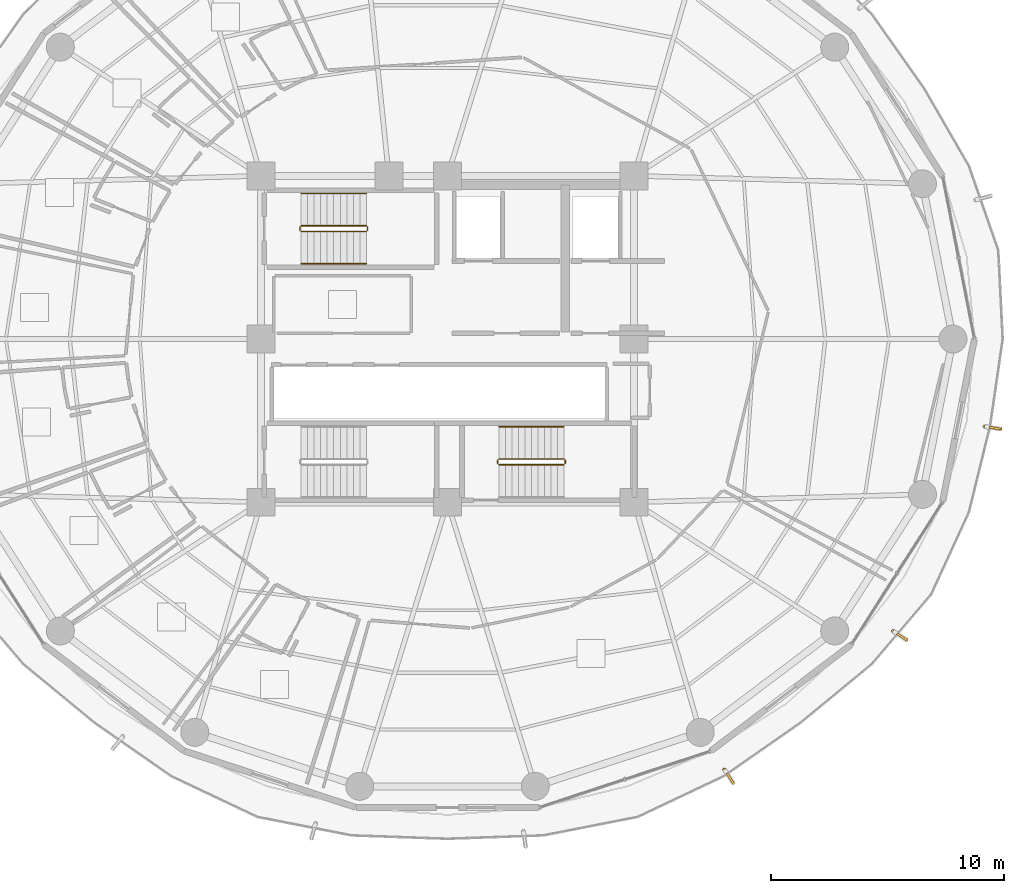
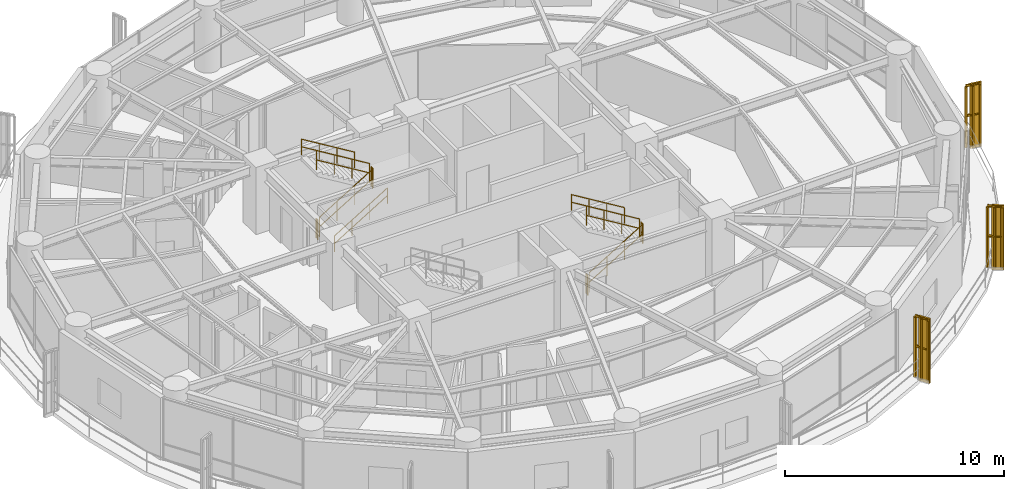
# One storey, part 26 of 27: 14 railings, 3 shading devices.
"""IFC4 building model written with IfcOpenShell, lengths in metres."""

from ifc_helpers import new_model, si_unit, direction, frame, origin, origin_2d, place, context, subcontext, project, spatial, polyline, rectangle, outline, extrude, source, transform, mapped, material, type_object, element, save


model = new_model("IFC4")

# Units and contexts
model_context = context("Model", 3, precision=1e-05, world=origin(), true_north=direction((0.0, 1.0)))
body_context = subcontext(model_context, "Body", "Model", "MODEL_VIEW")
ifc_project = project(units=[si_unit("LENGTHUNIT", "METRE"), si_unit("AREAUNIT", "SQUARE_METRE"), si_unit("VOLUMEUNIT", "CUBIC_METRE"), si_unit("PLANEANGLEUNIT", "RADIAN"), si_unit("MASSUNIT", "GRAM", prefix="KILO")], contexts=[model_context])

# Site, building, storey
site_placement = place(None, origin())
site = spatial("IfcSite", under=ifc_project, at=site_placement, CompositionType="ELEMENT")
building_placement = place(site_placement, origin())
building = spatial("IfcBuilding", under=site, at=building_placement, Name="Kelanora Arch Commons", CompositionType="ELEMENT")
storey_placement = place(building_placement, frame((0.0, 0.0, 143.10009765625)))
storey = spatial("IfcBuildingStorey", under=building, at=storey_placement, Name="L36", CompositionType="ELEMENT", Elevation=143.10009765625)

# Railings
ifc_material_1 = material(Name="Anodised bronze vertical shading fin rib assembly")
railing_type_1 = type_object("IfcRailingType", Name="RAIL-FIN-BRZ", PredefinedType="BALUSTRADE", material=ifc_material_1)
railing_1_placement = place(storey_placement, frame((85.876953125, 39.541015625, -0.02001953125)))
element("IfcRailing", 1, at=railing_1_placement, inside=storey, type_object=railing_type_1, Name="Sweeping Bronze Vertical Fin Blade L36-12", PredefinedType="BALUSTRADE", context=body_context, shape_type="SweptSolid", body=[
    extrude(outline(polyline([(0.06982421875, 0.0), (0.034912109375, 0.060546875), (-0.034912109375, 0.060546875), (-0.06982421875, 0.0), (-0.034912109375, -0.060546875), (0.034912109375, -0.060546875), (0.06982421875, 0.0)])), frame((0.0, 0.0, 3.419921875), z_axis=(0.541104882756, -0.840955115246, 0.0), x_axis=(0.840955115246, 0.541104882756, 0.0)), (0.0, 0.0, 1.0), 0.675048828125),
    extrude(outline(polyline([(0.06982421875, 0.0), (0.034912109375, 0.060546875), (-0.034912109375, 0.060546875), (-0.06982421875, 0.0), (-0.034912109375, -0.060546875), (0.034912109375, -0.060546875), (0.06982421875, 0.0)])), frame((0.0, 0.0, 1.7451171875), z_axis=(0.541104882756, -0.840955115246, 0.0), x_axis=(0.840955115246, 0.541104882756, 0.0)), (0.0, 0.0, 1.0), 0.675048828125),
    extrude(outline(polyline([(0.080078125, 0.0), (0.0400390625, 0.0693359375), (-0.0400390625, 0.0693359375), (-0.080078125, 0.0), (-0.0400390625, -0.0693359375), (0.0400390625, -0.0693359375), (0.080078125, 0.0)])), origin(), (0.0, 0.0, 1.0), 3.35009765625),
    extrude(outline(polyline([(0.080078125, 0.0), (0.0400390625, 0.0693359375), (-0.0400390625, 0.0693359375), (-0.080078125, 0.0), (-0.0400390625, -0.0693359375), (0.0400390625, -0.0693359375), (0.080078125, 0.0)])), frame((0.1826171875, -0.28369140625, 0.0)), (0.0, 0.0, 1.0), 3.35009765625),
    extrude(outline(polyline([(0.080078125, 0.0), (0.0400390625, 0.0693359375), (-0.0400390625, 0.0693359375), (-0.080078125, 0.0), (-0.0400390625, -0.0693359375), (0.0400390625, -0.0693359375), (0.080078125, 0.0)])), frame((0.365234375, -0.567626953125, 0.0)), (0.0, 0.0, 1.0), 3.35009765625),
])
railing_2_placement = place(storey_placement, frame((93.112548828125, 45.472900390625, -0.02001953125)))
element("IfcRailing", 2, at=railing_2_placement, inside=storey, type_object=railing_type_1, Name="Sweeping Bronze Vertical Fin Blade L36-13", PredefinedType="BALUSTRADE", context=body_context, shape_type="SweptSolid", body=[
    extrude(outline(polyline([(0.06982421875, 0.0), (0.034912109375, 0.060546875), (-0.034912109375, 0.060546875), (-0.06982421875, 0.0), (-0.034912109375, -0.060546875), (0.034912109375, -0.060546875), (0.06982421875, 0.0)])), frame((0.0, 0.0, 3.419921875), z_axis=(0.836529724923, -0.547921544859, 0.0), x_axis=(0.547921544859, 0.836529724923, 0.0)), (0.0, 0.0, 1.0), 0.675048828125),
    extrude(outline(polyline([(0.06982421875, 0.0), (0.034912109375, 0.060546875), (-0.034912109375, 0.060546875), (-0.06982421875, 0.0), (-0.034912109375, -0.060546875), (0.034912109375, -0.060546875), (0.06982421875, 0.0)])), frame((0.0, 0.0, 1.7451171875), z_axis=(0.836529724923, -0.547921544859, 0.0), x_axis=(0.547921544859, 0.836529724923, 0.0)), (0.0, 0.0, 1.0), 0.675048828125),
    extrude(outline(polyline([(0.080078125, 0.0), (0.0400390625, 0.0693359375), (-0.0400390625, 0.0693359375), (-0.080078125, 0.0), (-0.0400390625, -0.0693359375), (0.0400390625, -0.0693359375), (0.080078125, 0.0)])), origin(), (0.0, 0.0, 1.0), 3.35009765625),
    extrude(outline(polyline([(0.080078125, 0.0), (0.0400390625, 0.0693359375), (-0.0400390625, 0.0693359375), (-0.080078125, 0.0), (-0.0400390625, -0.0693359375), (0.0400390625, -0.0693359375), (0.080078125, 0.0)])), frame((0.2822265625, -0.18505859375, 0.0)), (0.0, 0.0, 1.0), 3.35009765625),
    extrude(outline(polyline([(0.080078125, 0.0), (0.0400390625, 0.0693359375), (-0.0400390625, 0.0693359375), (-0.080078125, 0.0), (-0.0400390625, -0.0693359375), (0.0400390625, -0.0693359375), (0.080078125, 0.0)])), frame((0.564697265625, -0.369873046875, 0.0)), (0.0, 0.0, 1.0), 3.35009765625),
])
railing_3_placement = place(storey_placement, frame((97.03955078125, 54.251220703125, -0.02001953125)))
element("IfcRailing", 3, at=railing_3_placement, inside=storey, type_object=railing_type_1, Name="Sweeping Bronze Vertical Fin Blade L36-14", PredefinedType="BALUSTRADE", context=body_context, shape_type="SweptSolid", body=[
    extrude(outline(polyline([(0.06982421875, 0.0), (0.034912109375, 0.060546875), (-0.034912109375, 0.060546875), (-0.06982421875, 0.0), (-0.034912109375, -0.060546875), (0.034912109375, -0.060546875), (0.06982421875, 0.0)])), frame((0.0, 0.0, 3.419921875), z_axis=(0.986964552607, -0.160937788901, 0.0), x_axis=(0.160937788901, 0.986964552607, 0.0)), (0.0, 0.0, 1.0), 0.675048828125),
    extrude(outline(polyline([(0.06982421875, 0.0), (0.034912109375, 0.060546875), (-0.034912109375, 0.060546875), (-0.06982421875, 0.0), (-0.034912109375, -0.060546875), (0.034912109375, -0.060546875), (0.06982421875, 0.0)])), frame((0.0, 0.0, 1.7451171875), z_axis=(0.986964552607, -0.160937788901, 0.0), x_axis=(0.160937788901, 0.986964552607, 0.0)), (0.0, 0.0, 1.0), 0.675048828125),
    extrude(outline(polyline([(0.080078125, 0.0), (0.0400390625, 0.0693359375), (-0.0400390625, 0.0693359375), (-0.080078125, 0.0), (-0.0400390625, -0.0693359375), (0.0400390625, -0.0693359375), (0.080078125, 0.0)])), origin(), (0.0, 0.0, 1.0), 3.35009765625),
    extrude(outline(polyline([(0.080078125, 0.0), (0.0400390625, 0.0693359375), (-0.0400390625, 0.0693359375), (-0.080078125, 0.0), (-0.0400390625, -0.0693359375), (0.0400390625, -0.0693359375), (0.080078125, 0.0)])), frame((0.3330078125, -0.05419921875, 0.0)), (0.0, 0.0, 1.0), 3.35009765625),
    extrude(outline(polyline([(0.080078125, 0.0), (0.0400390625, 0.0693359375), (-0.0400390625, 0.0693359375), (-0.080078125, 0.0), (-0.0400390625, -0.0693359375), (0.0400390625, -0.0693359375), (0.080078125, 0.0)])), frame((0.666259765625, -0.108642578125, 0.0)), (0.0, 0.0, 1.0), 3.35009765625),
])
ifc_material_2 = material(Name="Painted steel stair well guard", Category="steel")
railing_type_2 = type_object("IfcRailingType", Name="RAIL-STAIR-GRD", PredefinedType="GUARDRAIL", material=ifc_material_2)
railing_4_placement = place(storey_placement, frame((67.719970703125, 62.610107421875, 0.17041015625)))
element("IfcRailing", 4, at=railing_4_placement, inside=storey, type_object=railing_type_2, Name="L36 ST-T1 stair guard 1", PredefinedType="GUARDRAIL", context=body_context, shape_type="SweptSolid", body=[
    extrude(outline(polyline([(0.02392578125, 0.0), (0.011962890625, 0.020751953125), (-0.011962890625, 0.020751953125), (-0.02392578125, 0.0), (-0.011962890625, -0.020751953125), (0.011962890625, -0.020751953125), (0.02392578125, 0.0)])), frame((0.0, 0.0, 1.076171875), z_axis=(0.854169791009, 0.0, 0.51999420009), x_axis=(0.0, 1.0, 0.0)), (0.0, 0.0, 1.0), 3.278076171875),
    extrude(outline(polyline([(0.02392578125, 0.0), (0.011962890625, 0.020751953125), (-0.011962890625, 0.020751953125), (-0.02392578125, 0.0), (-0.011962890625, -0.020751953125), (0.011962890625, -0.020751953125), (0.02392578125, 0.0)])), frame((0.0, 0.0, 0.550048828125), z_axis=(0.854169791009, 0.0, 0.51999420009), x_axis=(0.0, 1.0, 0.0)), (0.0, 0.0, 1.0), 3.278076171875),
    extrude(outline(polyline([(0.02099609375, 0.0), (0.010498046875, 0.01806640625), (-0.010498046875, 0.01806640625), (-0.02099609375, 0.0), (-0.010498046875, -0.01806640625), (0.010498046875, -0.01806640625), (0.02099609375, 0.0)])), origin(), (0.0, 0.0, 1.0), 1.052001953125),
    extrude(outline(polyline([(0.02099609375, 0.0), (0.010498046875, 0.01806640625), (-0.010498046875, 0.01806640625), (-0.02099609375, 0.0), (-0.010498046875, -0.01806640625), (0.010498046875, -0.01806640625), (0.02099609375, 0.0)])), frame((0.933349609375, 0.0, 0.568115234375)), (0.0, 0.0, 1.0), 1.052001953125),
    extrude(outline(polyline([(0.02099609375, 0.0), (0.010498046875, 0.01806640625), (-0.010498046875, 0.01806640625), (-0.02099609375, 0.0), (-0.010498046875, -0.01806640625), (0.010498046875, -0.01806640625), (0.02099609375, 0.0)])), frame((1.86669921875, 0.0, 1.136474609375)), (0.0, 0.0, 1.0), 1.052001953125),
    extrude(outline(polyline([(0.02099609375, 0.0), (0.010498046875, 0.01806640625), (-0.010498046875, 0.01806640625), (-0.02099609375, 0.0), (-0.010498046875, -0.01806640625), (0.010498046875, -0.01806640625), (0.02099609375, 0.0)])), frame((2.800048828125, 0.0, 1.70458984375)), (0.0, 0.0, 1.0), 1.052001953125),
])
railing_5_placement = place(storey_placement, frame((70.570068359375, 62.659912109375, 1.875)))
element("IfcRailing", 5, at=railing_5_placement, inside=storey, type_object=railing_type_2, Name="L36 ST-T1 stair guard 2", PredefinedType="GUARDRAIL", context=body_context, shape_type="SweptSolid", body=[
    extrude(outline(polyline([(0.02392578125, 0.0), (0.011962890625, 0.020751953125), (-0.011962890625, 0.020751953125), (-0.02392578125, 0.0), (-0.011962890625, -0.020751953125), (0.011962890625, -0.020751953125), (0.02392578125, 0.0)])), frame((0.0, 0.0, 1.076171875), z_axis=(0.0, 1.0, 0.0), x_axis=(-1.0, 0.0, 0.0)), (0.0, 0.0, 1.0), 0.150146484375),
    extrude(outline(polyline([(0.02392578125, 0.0), (0.011962890625, 0.020751953125), (-0.011962890625, 0.020751953125), (-0.02392578125, 0.0), (-0.011962890625, -0.020751953125), (0.011962890625, -0.020751953125), (0.02392578125, 0.0)])), frame((0.0, 0.0, 0.550048828125), z_axis=(0.0, 1.0, 0.0), x_axis=(-1.0, 0.0, 0.0)), (0.0, 0.0, 1.0), 0.150146484375),
    extrude(outline(polyline([(0.02099609375, 0.0), (0.010498046875, 0.01806640625), (-0.010498046875, 0.01806640625), (-0.02099609375, 0.0), (-0.010498046875, -0.01806640625), (0.010498046875, -0.01806640625), (0.02099609375, 0.0)])), origin(), (0.0, 0.0, 1.0), 1.052001953125),
    extrude(outline(polyline([(0.02099609375, 0.0), (0.010498046875, 0.01806640625), (-0.010498046875, 0.01806640625), (-0.02099609375, 0.0), (-0.010498046875, -0.01806640625), (0.010498046875, -0.01806640625), (0.02099609375, 0.0)])), frame((0.0, 0.150146484375, 0.0)), (0.0, 0.0, 1.0), 1.052001953125),
])
railing_6_placement = place(storey_placement, frame((70.52001953125, 62.860107421875, 2.04541015625)))
element("IfcRailing", 6, at=railing_6_placement, inside=storey, type_object=railing_type_2, Name="L36 ST-T1 stair guard 3", PredefinedType="GUARDRAIL", context=body_context, shape_type="SweptSolid", body=[
    extrude(outline(polyline([(0.02392578125, 0.0), (0.011962890625, 0.020751953125), (-0.011962890625, 0.020751953125), (-0.02392578125, 0.0), (-0.011962890625, -0.020751953125), (0.011962890625, -0.020751953125), (0.02392578125, 0.0)])), frame((0.0, 0.0, 1.076171875), z_axis=(-0.854169791009, 0.0, 0.51999420009), x_axis=(0.0, -1.0, 0.0)), (0.0, 0.0, 1.0), 3.278076171875),
    extrude(outline(polyline([(0.02392578125, 0.0), (0.011962890625, 0.020751953125), (-0.011962890625, 0.020751953125), (-0.02392578125, 0.0), (-0.011962890625, -0.020751953125), (0.011962890625, -0.020751953125), (0.02392578125, 0.0)])), frame((0.0, 0.0, 0.550048828125), z_axis=(-0.854169791009, 0.0, 0.51999420009), x_axis=(0.0, -1.0, 0.0)), (0.0, 0.0, 1.0), 3.278076171875),
    extrude(outline(polyline([(0.02099609375, 0.0), (0.010498046875, 0.01806640625), (-0.010498046875, 0.01806640625), (-0.02099609375, 0.0), (-0.010498046875, -0.01806640625), (0.010498046875, -0.01806640625), (0.02099609375, 0.0)])), origin(), (0.0, 0.0, 1.0), 1.052001953125),
    extrude(outline(polyline([(0.02099609375, 0.0), (0.010498046875, 0.01806640625), (-0.010498046875, 0.01806640625), (-0.02099609375, 0.0), (-0.010498046875, -0.01806640625), (0.010498046875, -0.01806640625), (0.02099609375, 0.0)])), frame((-0.933349609375, 0.0, 0.568115234375)), (0.0, 0.0, 1.0), 1.052001953125),
    extrude(outline(polyline([(0.02099609375, 0.0), (0.010498046875, 0.01806640625), (-0.010498046875, 0.01806640625), (-0.02099609375, 0.0), (-0.010498046875, -0.01806640625), (0.010498046875, -0.01806640625), (0.02099609375, 0.0)])), frame((-1.86669921875, 0.0, 1.136474609375)), (0.0, 0.0, 1.0), 1.052001953125),
    extrude(outline(polyline([(0.02099609375, 0.0), (0.010498046875, 0.01806640625), (-0.010498046875, 0.01806640625), (-0.02099609375, 0.0), (-0.010498046875, -0.01806640625), (0.010498046875, -0.01806640625), (0.02099609375, 0.0)])), frame((-2.800048828125, 0.0, 1.70458984375)), (0.0, 0.0, 1.0), 1.052001953125),
])
railing_7_placement = place(storey_placement, frame((67.669921875, 62.659912109375, 0.0)))
element("IfcRailing", 7, at=railing_7_placement, inside=storey, type_object=railing_type_2, Name="L36 ST-T1 stair guard 4", PredefinedType="GUARDRAIL", context=body_context, shape_type="SweptSolid", body=[
    extrude(outline(polyline([(0.02392578125, 0.0), (0.011962890625, 0.020751953125), (-0.011962890625, 0.020751953125), (-0.02392578125, 0.0), (-0.011962890625, -0.020751953125), (0.011962890625, -0.020751953125), (0.02392578125, 0.0)])), frame((0.0, 0.0, 1.076171875), z_axis=(0.0, 1.0, 0.0), x_axis=(-1.0, 0.0, 0.0)), (0.0, 0.0, 1.0), 0.150146484375),
    extrude(outline(polyline([(0.02392578125, 0.0), (0.011962890625, 0.020751953125), (-0.011962890625, 0.020751953125), (-0.02392578125, 0.0), (-0.011962890625, -0.020751953125), (0.011962890625, -0.020751953125), (0.02392578125, 0.0)])), frame((0.0, 0.0, 0.550048828125), z_axis=(0.0, 1.0, 0.0), x_axis=(-1.0, 0.0, 0.0)), (0.0, 0.0, 1.0), 0.150146484375),
    extrude(outline(polyline([(0.02099609375, 0.0), (0.010498046875, 0.01806640625), (-0.010498046875, 0.01806640625), (-0.02099609375, 0.0), (-0.010498046875, -0.01806640625), (0.010498046875, -0.01806640625), (0.02099609375, 0.0)])), origin(), (0.0, 0.0, 1.0), 1.052001953125),
    extrude(outline(polyline([(0.02099609375, 0.0), (0.010498046875, 0.01806640625), (-0.010498046875, 0.01806640625), (-0.02099609375, 0.0), (-0.010498046875, -0.01806640625), (0.010498046875, -0.01806640625), (0.02099609375, 0.0)])), frame((0.0, 0.150146484375, 0.0)), (0.0, 0.0, 1.0), 1.052001953125),
])
railing_8_placement = place(storey_placement, frame((76.199951171875, 52.610107421875, 0.17041015625)))
element("IfcRailing", 8, at=railing_8_placement, inside=storey, type_object=railing_type_2, Name="L36 ST-T2 stair guard 1", PredefinedType="GUARDRAIL", context=body_context, shape_type="SweptSolid", body=[
    extrude(outline(polyline([(0.02392578125, 0.0), (0.011962890625, 0.020751953125), (-0.011962890625, 0.020751953125), (-0.02392578125, 0.0), (-0.011962890625, -0.020751953125), (0.011962890625, -0.020751953125), (0.02392578125, 0.0)])), frame((0.0, 0.0, 1.076171875), z_axis=(0.854169791009, 0.0, 0.51999420009), x_axis=(0.0, 1.0, 0.0)), (0.0, 0.0, 1.0), 3.278076171875),
    extrude(outline(polyline([(0.02392578125, 0.0), (0.011962890625, 0.020751953125), (-0.011962890625, 0.020751953125), (-0.02392578125, 0.0), (-0.011962890625, -0.020751953125), (0.011962890625, -0.020751953125), (0.02392578125, 0.0)])), frame((0.0, 0.0, 0.550048828125), z_axis=(0.854169791009, 0.0, 0.51999420009), x_axis=(0.0, 1.0, 0.0)), (0.0, 0.0, 1.0), 3.278076171875),
    extrude(outline(polyline([(0.02099609375, 0.0), (0.010498046875, 0.01806640625), (-0.010498046875, 0.01806640625), (-0.02099609375, 0.0), (-0.010498046875, -0.01806640625), (0.010498046875, -0.01806640625), (0.02099609375, 0.0)])), origin(), (0.0, 0.0, 1.0), 1.052001953125),
    extrude(outline(polyline([(0.02099609375, 0.0), (0.010498046875, 0.01806640625), (-0.010498046875, 0.01806640625), (-0.02099609375, 0.0), (-0.010498046875, -0.01806640625), (0.010498046875, -0.01806640625), (0.02099609375, 0.0)])), frame((0.933349609375, 0.0, 0.568115234375)), (0.0, 0.0, 1.0), 1.052001953125),
    extrude(outline(polyline([(0.02099609375, 0.0), (0.010498046875, 0.01806640625), (-0.010498046875, 0.01806640625), (-0.02099609375, 0.0), (-0.010498046875, -0.01806640625), (0.010498046875, -0.01806640625), (0.02099609375, 0.0)])), frame((1.86669921875, 0.0, 1.136474609375)), (0.0, 0.0, 1.0), 1.052001953125),
    extrude(outline(polyline([(0.02099609375, 0.0), (0.010498046875, 0.01806640625), (-0.010498046875, 0.01806640625), (-0.02099609375, 0.0), (-0.010498046875, -0.01806640625), (0.010498046875, -0.01806640625), (0.02099609375, 0.0)])), frame((2.800048828125, 0.0, 1.70458984375)), (0.0, 0.0, 1.0), 1.052001953125),
])
railing_9_placement = place(storey_placement, frame((79.050048828125, 52.659912109375, 1.875)))
element("IfcRailing", 9, at=railing_9_placement, inside=storey, type_object=railing_type_2, Name="L36 ST-T2 stair guard 2", PredefinedType="GUARDRAIL", context=body_context, shape_type="SweptSolid", body=[
    extrude(outline(polyline([(0.02392578125, 0.0), (0.011962890625, 0.020751953125), (-0.011962890625, 0.020751953125), (-0.02392578125, 0.0), (-0.011962890625, -0.020751953125), (0.011962890625, -0.020751953125), (0.02392578125, 0.0)])), frame((0.0, 0.0, 1.076171875), z_axis=(0.0, 1.0, 0.0), x_axis=(-1.0, 0.0, 0.0)), (0.0, 0.0, 1.0), 0.150146484375),
    extrude(outline(polyline([(0.02392578125, 0.0), (0.011962890625, 0.020751953125), (-0.011962890625, 0.020751953125), (-0.02392578125, 0.0), (-0.011962890625, -0.020751953125), (0.011962890625, -0.020751953125), (0.02392578125, 0.0)])), frame((0.0, 0.0, 0.550048828125), z_axis=(0.0, 1.0, 0.0), x_axis=(-1.0, 0.0, 0.0)), (0.0, 0.0, 1.0), 0.150146484375),
    extrude(outline(polyline([(0.02099609375, 0.0), (0.010498046875, 0.01806640625), (-0.010498046875, 0.01806640625), (-0.02099609375, 0.0), (-0.010498046875, -0.01806640625), (0.010498046875, -0.01806640625), (0.02099609375, 0.0)])), origin(), (0.0, 0.0, 1.0), 1.052001953125),
    extrude(outline(polyline([(0.02099609375, 0.0), (0.010498046875, 0.01806640625), (-0.010498046875, 0.01806640625), (-0.02099609375, 0.0), (-0.010498046875, -0.01806640625), (0.010498046875, -0.01806640625), (0.02099609375, 0.0)])), frame((0.0, 0.150146484375, 0.0)), (0.0, 0.0, 1.0), 1.052001953125),
])
railing_10_placement = place(storey_placement, frame((79.0, 52.860107421875, 2.04541015625)))
element("IfcRailing", 10, at=railing_10_placement, inside=storey, type_object=railing_type_2, Name="L36 ST-T2 stair guard 3", PredefinedType="GUARDRAIL", context=body_context, shape_type="SweptSolid", body=[
    extrude(outline(polyline([(0.02392578125, 0.0), (0.011962890625, 0.020751953125), (-0.011962890625, 0.020751953125), (-0.02392578125, 0.0), (-0.011962890625, -0.020751953125), (0.011962890625, -0.020751953125), (0.02392578125, 0.0)])), frame((0.0, 0.0, 1.076171875), z_axis=(-0.854169791009, 0.0, 0.51999420009), x_axis=(0.0, -1.0, 0.0)), (0.0, 0.0, 1.0), 3.278076171875),
    extrude(outline(polyline([(0.02392578125, 0.0), (0.011962890625, 0.020751953125), (-0.011962890625, 0.020751953125), (-0.02392578125, 0.0), (-0.011962890625, -0.020751953125), (0.011962890625, -0.020751953125), (0.02392578125, 0.0)])), frame((0.0, 0.0, 0.550048828125), z_axis=(-0.854169791009, 0.0, 0.51999420009), x_axis=(0.0, -1.0, 0.0)), (0.0, 0.0, 1.0), 3.278076171875),
    extrude(outline(polyline([(0.02099609375, 0.0), (0.010498046875, 0.01806640625), (-0.010498046875, 0.01806640625), (-0.02099609375, 0.0), (-0.010498046875, -0.01806640625), (0.010498046875, -0.01806640625), (0.02099609375, 0.0)])), origin(), (0.0, 0.0, 1.0), 1.052001953125),
    extrude(outline(polyline([(0.02099609375, 0.0), (0.010498046875, 0.01806640625), (-0.010498046875, 0.01806640625), (-0.02099609375, 0.0), (-0.010498046875, -0.01806640625), (0.010498046875, -0.01806640625), (0.02099609375, 0.0)])), frame((-0.933349609375, 0.0, 0.568115234375)), (0.0, 0.0, 1.0), 1.052001953125),
    extrude(outline(polyline([(0.02099609375, 0.0), (0.010498046875, 0.01806640625), (-0.010498046875, 0.01806640625), (-0.02099609375, 0.0), (-0.010498046875, -0.01806640625), (0.010498046875, -0.01806640625), (0.02099609375, 0.0)])), frame((-1.86669921875, 0.0, 1.136474609375)), (0.0, 0.0, 1.0), 1.052001953125),
    extrude(outline(polyline([(0.02099609375, 0.0), (0.010498046875, 0.01806640625), (-0.010498046875, 0.01806640625), (-0.02099609375, 0.0), (-0.010498046875, -0.01806640625), (0.010498046875, -0.01806640625), (0.02099609375, 0.0)])), frame((-2.800048828125, 0.0, 1.70458984375)), (0.0, 0.0, 1.0), 1.052001953125),
])
railing_11_placement = place(storey_placement, frame((76.14990234375, 52.659912109375, 0.0)))
element("IfcRailing", 11, at=railing_11_placement, inside=storey, type_object=railing_type_2, Name="L36 ST-T2 stair guard 4", PredefinedType="GUARDRAIL", context=body_context, shape_type="SweptSolid", body=[
    extrude(outline(polyline([(0.02392578125, 0.0), (0.011962890625, 0.020751953125), (-0.011962890625, 0.020751953125), (-0.02392578125, 0.0), (-0.011962890625, -0.020751953125), (0.011962890625, -0.020751953125), (0.02392578125, 0.0)])), frame((0.0, 0.0, 1.076171875), z_axis=(0.0, 1.0, 0.0), x_axis=(-1.0, 0.0, 0.0)), (0.0, 0.0, 1.0), 0.150146484375),
    extrude(outline(polyline([(0.02392578125, 0.0), (0.011962890625, 0.020751953125), (-0.011962890625, 0.020751953125), (-0.02392578125, 0.0), (-0.011962890625, -0.020751953125), (0.011962890625, -0.020751953125), (0.02392578125, 0.0)])), frame((0.0, 0.0, 0.550048828125), z_axis=(0.0, 1.0, 0.0), x_axis=(-1.0, 0.0, 0.0)), (0.0, 0.0, 1.0), 0.150146484375),
    extrude(outline(polyline([(0.02099609375, 0.0), (0.010498046875, 0.01806640625), (-0.010498046875, 0.01806640625), (-0.02099609375, 0.0), (-0.010498046875, -0.01806640625), (0.010498046875, -0.01806640625), (0.02099609375, 0.0)])), origin(), (0.0, 0.0, 1.0), 1.052001953125),
    extrude(outline(polyline([(0.02099609375, 0.0), (0.010498046875, 0.01806640625), (-0.010498046875, 0.01806640625), (-0.02099609375, 0.0), (-0.010498046875, -0.01806640625), (0.010498046875, -0.01806640625), (0.02099609375, 0.0)])), frame((0.0, 0.150146484375, 0.0)), (0.0, 0.0, 1.0), 1.052001953125),
])
ifc_material_3 = material(Name="Brushed stainless steel stair handrail", Category="steel")
railing_type_3 = type_object("IfcRailingType", Name="RAIL-STAIR-HND", PredefinedType="HANDRAIL", material=ifc_material_3)
railing_12_placement = place(storey_placement, frame((67.719970703125, 61.22998046875, 0.17041015625)))
element("IfcRailing", 12, at=railing_12_placement, inside=storey, type_object=railing_type_3, Name="L36 ST-T1 stair handrail 1", PredefinedType="HANDRAIL", context=body_context, shape_type="SweptSolid", body=[
    extrude(outline(polyline([(0.02392578125, 0.0), (0.011962890625, 0.020751953125), (-0.011962890625, 0.020751953125), (-0.02392578125, 0.0), (-0.011962890625, -0.020751953125), (0.011962890625, -0.020751953125), (0.02392578125, 0.0)])), frame((0.0, 0.0, 0.8759765625), z_axis=(0.854169791009, 0.0, 0.51999420009), x_axis=(0.0, 1.0, 0.0)), (0.0, 0.0, 1.0), 3.278076171875),
    extrude(outline(polyline([(0.02392578125, 0.0), (0.011962890625, 0.020751953125), (-0.011962890625, 0.020751953125), (-0.02392578125, 0.0), (-0.011962890625, -0.020751953125), (0.011962890625, -0.020751953125), (0.02392578125, 0.0)])), frame((0.0, 0.0, 0.449951171875), z_axis=(0.854169791009, 0.0, 0.51999420009), x_axis=(0.0, 1.0, 0.0)), (0.0, 0.0, 1.0), 3.278076171875),
    extrude(outline(polyline([(0.02099609375, 0.0), (0.010498046875, 0.01806640625), (-0.010498046875, 0.01806640625), (-0.02099609375, 0.0), (-0.010498046875, -0.01806640625), (0.010498046875, -0.01806640625), (0.02099609375, 0.0)])), origin(), (0.0, 0.0, 1.0), 0.851806640625),
    extrude(outline(polyline([(0.02099609375, 0.0), (0.010498046875, 0.01806640625), (-0.010498046875, 0.01806640625), (-0.02099609375, 0.0), (-0.010498046875, -0.01806640625), (0.010498046875, -0.01806640625), (0.02099609375, 0.0)])), frame((0.933349609375, 0.0, 0.568115234375)), (0.0, 0.0, 1.0), 0.851806640625),
    extrude(outline(polyline([(0.02099609375, 0.0), (0.010498046875, 0.01806640625), (-0.010498046875, 0.01806640625), (-0.02099609375, 0.0), (-0.010498046875, -0.01806640625), (0.010498046875, -0.01806640625), (0.02099609375, 0.0)])), frame((1.86669921875, 0.0, 1.136474609375)), (0.0, 0.0, 1.0), 0.851806640625),
    extrude(outline(polyline([(0.02099609375, 0.0), (0.010498046875, 0.01806640625), (-0.010498046875, 0.01806640625), (-0.02099609375, 0.0), (-0.010498046875, -0.01806640625), (0.010498046875, -0.01806640625), (0.02099609375, 0.0)])), frame((2.800048828125, 0.0, 1.70458984375)), (0.0, 0.0, 1.0), 0.851806640625),
])
railing_13_placement = place(storey_placement, frame((70.52001953125, 64.239990234375, 2.04541015625)))
element("IfcRailing", 13, at=railing_13_placement, inside=storey, type_object=railing_type_3, Name="L36 ST-T1 stair handrail 2", PredefinedType="HANDRAIL", context=body_context, shape_type="SweptSolid", body=[
    extrude(outline(polyline([(0.02392578125, 0.0), (0.011962890625, 0.020751953125), (-0.011962890625, 0.020751953125), (-0.02392578125, 0.0), (-0.011962890625, -0.020751953125), (0.011962890625, -0.020751953125), (0.02392578125, 0.0)])), frame((0.0, 0.0, 0.8759765625), z_axis=(-0.854169791009, 0.0, 0.51999420009), x_axis=(0.0, -1.0, 0.0)), (0.0, 0.0, 1.0), 3.278076171875),
    extrude(outline(polyline([(0.02392578125, 0.0), (0.011962890625, 0.020751953125), (-0.011962890625, 0.020751953125), (-0.02392578125, 0.0), (-0.011962890625, -0.020751953125), (0.011962890625, -0.020751953125), (0.02392578125, 0.0)])), frame((0.0, 0.0, 0.449951171875), z_axis=(-0.854169791009, 0.0, 0.51999420009), x_axis=(0.0, -1.0, 0.0)), (0.0, 0.0, 1.0), 3.278076171875),
    extrude(outline(polyline([(0.02099609375, 0.0), (0.010498046875, 0.01806640625), (-0.010498046875, 0.01806640625), (-0.02099609375, 0.0), (-0.010498046875, -0.01806640625), (0.010498046875, -0.01806640625), (0.02099609375, 0.0)])), origin(), (0.0, 0.0, 1.0), 0.851806640625),
    extrude(outline(polyline([(0.02099609375, 0.0), (0.010498046875, 0.01806640625), (-0.010498046875, 0.01806640625), (-0.02099609375, 0.0), (-0.010498046875, -0.01806640625), (0.010498046875, -0.01806640625), (0.02099609375, 0.0)])), frame((-0.933349609375, 0.0, 0.568115234375)), (0.0, 0.0, 1.0), 0.851806640625),
    extrude(outline(polyline([(0.02099609375, 0.0), (0.010498046875, 0.01806640625), (-0.010498046875, 0.01806640625), (-0.02099609375, 0.0), (-0.010498046875, -0.01806640625), (0.010498046875, -0.01806640625), (0.02099609375, 0.0)])), frame((-1.86669921875, 0.0, 1.136474609375)), (0.0, 0.0, 1.0), 0.851806640625),
    extrude(outline(polyline([(0.02099609375, 0.0), (0.010498046875, 0.01806640625), (-0.010498046875, 0.01806640625), (-0.02099609375, 0.0), (-0.010498046875, -0.01806640625), (0.010498046875, -0.01806640625), (0.02099609375, 0.0)])), frame((-2.800048828125, 0.0, 1.70458984375)), (0.0, 0.0, 1.0), 0.851806640625),
])
railing_14_placement = place(storey_placement, frame((79.0, 54.239990234375, 2.04541015625)))
element("IfcRailing", 14, at=railing_14_placement, inside=storey, type_object=railing_type_3, Name="L36 ST-T2 stair handrail 2", PredefinedType="HANDRAIL", context=body_context, shape_type="SweptSolid", body=[
    extrude(outline(polyline([(0.02392578125, 0.0), (0.011962890625, 0.020751953125), (-0.011962890625, 0.020751953125), (-0.02392578125, 0.0), (-0.011962890625, -0.020751953125), (0.011962890625, -0.020751953125), (0.02392578125, 0.0)])), frame((0.0, 0.0, 0.8759765625), z_axis=(-0.854169791009, 0.0, 0.51999420009), x_axis=(0.0, -1.0, 0.0)), (0.0, 0.0, 1.0), 3.278076171875),
    extrude(outline(polyline([(0.02392578125, 0.0), (0.011962890625, 0.020751953125), (-0.011962890625, 0.020751953125), (-0.02392578125, 0.0), (-0.011962890625, -0.020751953125), (0.011962890625, -0.020751953125), (0.02392578125, 0.0)])), frame((0.0, 0.0, 0.449951171875), z_axis=(-0.854169791009, 0.0, 0.51999420009), x_axis=(0.0, -1.0, 0.0)), (0.0, 0.0, 1.0), 3.278076171875),
    extrude(outline(polyline([(0.02099609375, 0.0), (0.010498046875, 0.01806640625), (-0.010498046875, 0.01806640625), (-0.02099609375, 0.0), (-0.010498046875, -0.01806640625), (0.010498046875, -0.01806640625), (0.02099609375, 0.0)])), origin(), (0.0, 0.0, 1.0), 0.851806640625),
    extrude(outline(polyline([(0.02099609375, 0.0), (0.010498046875, 0.01806640625), (-0.010498046875, 0.01806640625), (-0.02099609375, 0.0), (-0.010498046875, -0.01806640625), (0.010498046875, -0.01806640625), (0.02099609375, 0.0)])), frame((-0.933349609375, 0.0, 0.568115234375)), (0.0, 0.0, 1.0), 0.851806640625),
    extrude(outline(polyline([(0.02099609375, 0.0), (0.010498046875, 0.01806640625), (-0.010498046875, 0.01806640625), (-0.02099609375, 0.0), (-0.010498046875, -0.01806640625), (0.010498046875, -0.01806640625), (0.02099609375, 0.0)])), frame((-1.86669921875, 0.0, 1.136474609375)), (0.0, 0.0, 1.0), 0.851806640625),
    extrude(outline(polyline([(0.02099609375, 0.0), (0.010498046875, 0.01806640625), (-0.010498046875, 0.01806640625), (-0.02099609375, 0.0), (-0.010498046875, -0.01806640625), (0.010498046875, -0.01806640625), (0.02099609375, 0.0)])), frame((-2.800048828125, 0.0, 1.70458984375)), (0.0, 0.0, 1.0), 0.851806640625),
])

# Shading devices
ifc_material_4 = material(Name="Terracotta ceramic-clad extruded aluminium fin", Category="masonry")
shading_device_type = type_object("IfcShadingDeviceType", Name="SHD-FIN-WAIST", PredefinedType="USERDEFINED", material=ifc_material_4)
shared_shape = source(origin(), body_context, "Body", "SweptSolid", [
    extrude(rectangle(XDim=0.56005859375, YDim=0.090087890625, at=origin_2d()), origin(), (0.0, 0.0, 1.0), 3.610107421875),
])
for number, where, z_axis, x_axis, name in (
    (15, (86.13525390625, 39.139404296875, -0.14013671875), (0.0, 0.0, 1.0), (0.541121252127, -0.840944582298, 0.0), "Sweeping Terracotta Fin L36-12"),
    (16, (93.511962890625, 45.211181640625, -0.14013671875), (0.0, 0.0, 1.0), (0.836381838331, -0.548147261701, 0.0), "Sweeping Terracotta Fin L36-13"),
    (17, (97.5107421875, 54.17431640625, -0.14013671875), (0.0, 0.0, 1.0), (0.987024406397, -0.160570299793, 0.0), "Sweeping Terracotta Fin L36-14"),
):
    element("IfcShadingDevice", number, at=place(storey_placement, frame(where, z_axis=z_axis, x_axis=x_axis)), inside=storey, type_object=shading_device_type, Name=name, ObjectType="FIN", PredefinedType="USERDEFINED", context=body_context, shape_type="MappedRepresentation", body=[
        mapped(shared_shape, transform((0.0, 0.0, 0.0), scale=1.0)),
    ])

save(model, "model.ifc")
